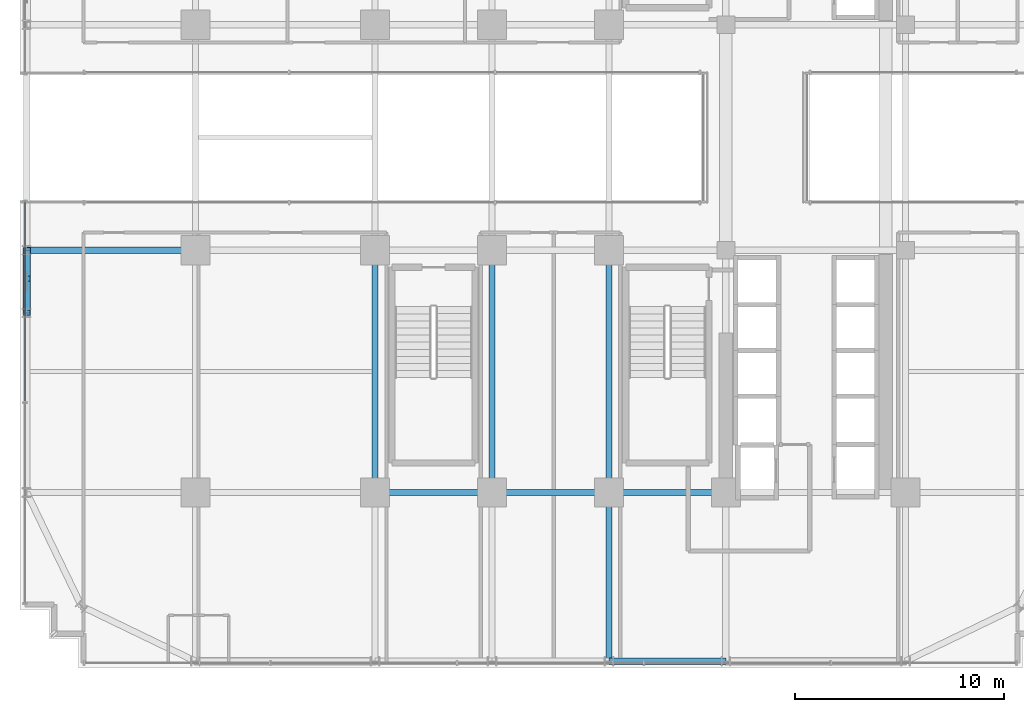
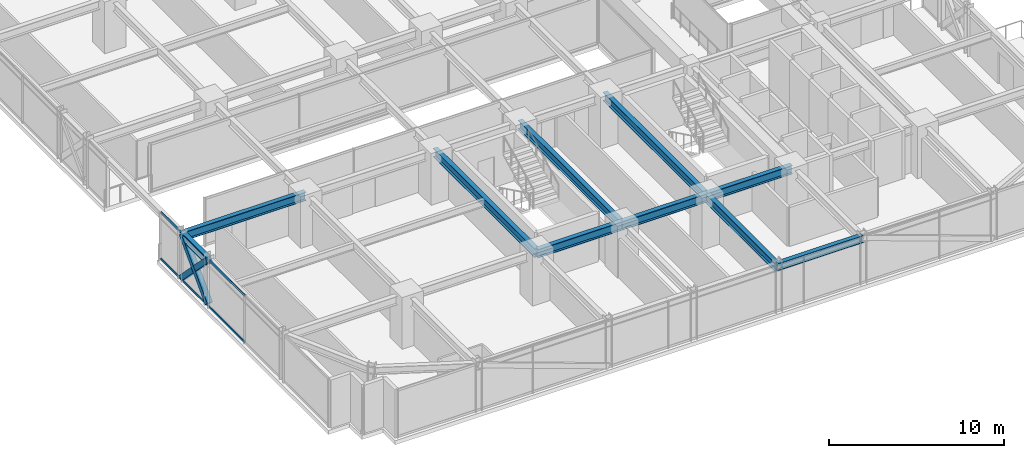
# One storey, part 8 of 47: 10 beams, 5 members, 1 element without a shape of its own.
"""IFC4 building model written with IfcOpenShell, lengths in metres."""

from ifc_helpers import new_model, si_unit, direction, frame, origin, origin_2d, place, context, subcontext, project, spatial, hollow_rectangle, i_section, extrude, source, transform, mapped, material, material_profile, profile_set, type_object, element, aggregate, save


model = new_model("IFC4")

# Units and contexts
model_context = context("Model", 3, precision=1e-05, world=origin(), true_north=direction((0.0, 1.0)))
body_context = subcontext(model_context, "Body", "Model", "MODEL_VIEW")
ifc_project = project(units=[si_unit("LENGTHUNIT", "METRE"), si_unit("AREAUNIT", "SQUARE_METRE"), si_unit("VOLUMEUNIT", "CUBIC_METRE"), si_unit("PLANEANGLEUNIT", "RADIAN"), si_unit("MASSUNIT", "GRAM", prefix="KILO")], contexts=[model_context])

# Site, building, storey
site_placement = place(None, origin())
site = spatial("IfcSite", under=ifc_project, at=site_placement, CompositionType="ELEMENT")
building_placement = place(site_placement, origin())
building = spatial("IfcBuilding", under=site, at=building_placement, Name="Nahalor Promenade Grand Hotel", CompositionType="ELEMENT")
storey_placement = place(building_placement, frame((0.0, 0.0, 68.89990234375)))
storey = spatial("IfcBuildingStorey", under=building, at=storey_placement, Name="L16", CompositionType="ELEMENT", Elevation=68.89990234375)

# Beams
ifc_material_1 = material(Name="Steel S355JR", Category="steel")
ifc_material_profile_1 = material_profile(ifc_material_1, i_section(OverallWidth=0.3, OverallDepth=0.6, WebThickness=0.0155, FlangeThickness=0.03, at=origin_2d()), Name="HEB 600")
ifc_profile_set_1 = profile_set([ifc_material_profile_1], Name="Steel S355JR")
beam_type_1 = type_object("IfcBeamType", Name="Beam-Girder-HEB600", PredefinedType="BEAM", material=ifc_profile_set_1)
shared_shape_1 = source(origin(), body_context, "Body", "SweptSolid", [
    extrude(i_section(OverallWidth=0.3, OverallDepth=0.6, WebThickness=0.0155, FlangeThickness=0.03, at=origin_2d()), origin(), (0.0, 0.0, 1.0), 5.599853515625),
])
for number, where, z_axis, x_axis, name in (
    (1, (-8.39990234375, -17.0, 3.070068359375), (1.0, 0.0, 0.0), (0.0, 1.0, 0.0), "BM-L16-GX-0-2"),
    (2, (2.800048828125, -17.0, 3.070068359375), (1.0, 0.0, 0.0), (0.0, 1.0, 0.0), "BM-L16-GX-0-4"),
):
    element("IfcBeam", number, at=place(storey_placement, frame(where, z_axis=z_axis, x_axis=x_axis)), inside=storey, type_object=beam_type_1, Name=name, PredefinedType="BEAM", context=body_context, shape_type="MappedRepresentation", body=[
        mapped(shared_shape_1, transform((0.0, 0.0, 0.0), scale=1.0)),
    ])
shared_shape_2 = source(origin(), body_context, "Body", "SweptSolid", [
    extrude(i_section(OverallWidth=0.3, OverallDepth=0.6, WebThickness=0.0155, FlangeThickness=0.03, at=origin_2d()), origin(), (0.0, 0.0, 1.0), 5.60009765625),
])
beam_1_placement = place(storey_placement, frame((-2.800048828125, -17.0, 3.070068359375), z_axis=(1.0, 0.0, 0.0), x_axis=(0.0, 1.0, 0.0)))
element("IfcBeam", 3, at=beam_1_placement, inside=storey, type_object=beam_type_1, Name="BM-L16-GX-0-3", PredefinedType="BEAM", context=body_context, shape_type="MappedRepresentation", body=[
    mapped(shared_shape_2, transform((0.0, 0.0, 0.0), scale=1.0)),
])
shared_shape_3 = source(origin(), body_context, "Body", "SweptSolid", [
    extrude(i_section(OverallWidth=0.3, OverallDepth=0.6, WebThickness=0.0155, FlangeThickness=0.03, at=origin_2d()), origin(), (0.0, 0.0, 1.0), 11.60009765625),
])
for number, where, z_axis, x_axis, name in (
    (4, (-8.39990234375, -17.0, 3.070068359375), (0.0, 1.0, 0.0), (-1.0, 0.0, 0.0), "BM-L16-GY-1-1"),
    (5, (-2.800048828125, -17.0, 3.070068359375), (0.0, 1.0, 0.0), (-1.0, 0.0, 0.0), "BM-L16-GY-2-1"),
    (6, (2.800048828125, -17.0, 3.070068359375), (0.0, 1.0, 0.0), (-1.0, 0.0, 0.0), "BM-L16-GY-3-1"),
):
    element("IfcBeam", number, at=place(storey_placement, frame(where, z_axis=z_axis, x_axis=x_axis)), inside=storey, type_object=beam_type_1, Name=name, PredefinedType="BEAM", context=body_context, shape_type="MappedRepresentation", body=[
        mapped(shared_shape_3, transform((0.0, 0.0, 0.0), scale=1.0)),
    ])
ifc_material_profile_2 = material_profile(ifc_material_1, i_section(OverallWidth=0.3, OverallDepth=0.5, WebThickness=0.0145, FlangeThickness=0.028, at=origin_2d()), Name="HEB 500")
ifc_profile_set_2 = profile_set([ifc_material_profile_2], Name="Steel S355JR")
beam_type_2 = type_object("IfcBeamType", Name="Beam-Spandrel-HEB500", PredefinedType="SPANDREL", material=ifc_profile_set_2)
shared_shape_4 = source(origin(), body_context, "Body", "SweptSolid", [
    extrude(i_section(OverallWidth=0.3, OverallDepth=0.5, WebThickness=0.0145, FlangeThickness=0.028, at=origin_2d()), origin(), (0.0, 0.0, 1.0), 5.599853515625),
])
beam_2_placement = place(storey_placement, frame((2.800048828125, -25.080078125, 3.1201171875), z_axis=(1.0, 0.0, 0.0), x_axis=(0.0, 1.0, 0.0)))
element("IfcBeam", 7, at=beam_2_placement, inside=storey, type_object=beam_type_2, Name="BM-L16-SP-S-3", PredefinedType="SPANDREL", context=body_context, shape_type="MappedRepresentation", body=[
    mapped(shared_shape_4, transform((0.0, 0.0, 0.0), scale=1.0)),
])
shared_shape_5 = source(origin(), body_context, "Body", "SweptSolid", [
    extrude(i_section(OverallWidth=0.3, OverallDepth=0.5, WebThickness=0.0145, FlangeThickness=0.028, at=origin_2d()), origin(), (0.0, 0.0, 1.0), 3.0),
])
beam_3_placement = place(storey_placement, frame((-25.080078125, -8.39990234375, 3.1201171875), z_axis=(0.0, 1.0, 0.0), x_axis=(-1.0, 0.0, 0.0)))
element("IfcBeam", 8, at=beam_3_placement, inside=storey, type_object=beam_type_2, Name="BM-L16-SP-W-1", PredefinedType="SPANDREL", context=body_context, shape_type="MappedRepresentation", body=[
    mapped(shared_shape_5, transform((0.0, 0.0, 0.0), scale=1.0)),
])
shared_shape_6 = source(origin(), body_context, "Body", "SweptSolid", [
    extrude(i_section(OverallWidth=0.3, OverallDepth=0.6, WebThickness=0.0155, FlangeThickness=0.03, at=origin_2d()), origin(), (0.0, 0.0, 1.0), 8.080078125),
])
for number, where, z_axis, x_axis, name in (
    (9, (-25.080078125, -5.39990234375, 3.070068359375), (1.0, 0.0, 0.0), (0.0, 1.0, 0.0), "BM-L16-GX-1-0"),
    (10, (2.800048828125, -25.080078125, 3.070068359375), (0.0, 1.0, 0.0), (-1.0, 0.0, 0.0), "BM-L16-GY-3-0"),
):
    element("IfcBeam", number, at=place(storey_placement, frame(where, z_axis=z_axis, x_axis=x_axis)), inside=storey, type_object=beam_type_1, Name=name, PredefinedType="BEAM", context=body_context, shape_type="MappedRepresentation", body=[
        mapped(shared_shape_6, transform((0.0, 0.0, 0.0), scale=1.0)),
    ])

# Members
ifc_material_profile_3 = material_profile(ifc_material_1, hollow_rectangle(XDim=0.35, YDim=0.35, WallThickness=0.02, at=origin_2d()), Name="SHS 350x350x20")
ifc_profile_set_3 = profile_set([ifc_material_profile_3], Name="Steel S355JR")
member_type_1 = type_object("IfcMemberType", Name="Mem-VoidBrace-SHS350", PredefinedType="BRACE", material=ifc_profile_set_3)
shared_shape_7 = source(origin(), body_context, "Body", "SweptSolid", [
    extrude(hollow_rectangle(XDim=0.35, YDim=0.35, WallThickness=0.02, at=origin_2d()), origin(), (0.0, 0.0, 1.0), 4.29248046875),
])
member_1_placement = place(storey_placement, frame((-25.080078125, -8.39990234375, 0.150146484375), z_axis=(0.0, 0.698897904453, 0.715221447631), x_axis=(-1.0, 0.0, 0.0)))
element("IfcMember", 11, at=member_1_placement, inside=storey, type_object=member_type_1, Name="EXO-L16-VX1-W0", PredefinedType="BRACE", context=body_context, shape_type="MappedRepresentation", body=[
    mapped(shared_shape_7, transform((0.0, 0.0, 0.0), scale=1.0)),
])
shared_shape_8 = source(origin(), body_context, "Body", "SweptSolid", [
    extrude(hollow_rectangle(XDim=0.35, YDim=0.35, WallThickness=0.02, at=origin_2d()), origin(), (0.0, 0.0, 1.0), 1.959228515625),
])
for number, where, z_axis, x_axis, name in (
    (12, (-25.080078125, -5.39990234375, 0.150146484375), (0.0, -0.698960471031, 0.715160303663), (1.0, 0.0, 0.0), "EXO-L16-VX2-W0A"),
    (13, (-25.080078125, -7.03076171875, 1.81884765625), (0.0, -0.698834435327, 0.715283462692), (1.0, 0.0, 0.0), "EXO-L16-VX2-W0B"),
):
    element("IfcMember", number, at=place(storey_placement, frame(where, z_axis=z_axis, x_axis=x_axis)), inside=storey, type_object=member_type_1, Name=name, PredefinedType="BRACE", context=body_context, shape_type="MappedRepresentation", body=[
        mapped(shared_shape_8, transform((0.0, 0.0, 0.0), scale=1.0)),
    ])

# Curtain wall, members
ifc_material_2 = material(Name="Anodised Bronze Aluminium EN AW-6063 T6", Category="aluminium")
curtain_wall_type = type_object("IfcCurtainWallType", Name="CW3 Elliptical-Void Collar Unitised Curtain Wall", PredefinedType="USERDEFINED", material=ifc_material_2)
curtain_wall_placement = place(storey_placement, origin())
curtain_wall = element("IfcCurtainWall", 14, at=curtain_wall_placement, inside=storey, type_object=curtain_wall_type, Name="L16 Curtain Wall CW-L16-W-1", ObjectType="UNITISED_CURTAIN_WALL", PredefinedType="USERDEFINED")
ifc_material_profile_4 = material_profile(ifc_material_2, hollow_rectangle(XDim=0.07, YDim=0.14, WallThickness=0.004, at=origin_2d()), Name="CWT 70x140x4")
ifc_profile_set_4 = profile_set([ifc_material_profile_4], Name="Anodised Bronze Aluminium EN AW-6063 T6")
member_type_2 = type_object("IfcMemberType", Name="CWT3 Void Collar Transom 70x140", PredefinedType="USERDEFINED", material=ifc_profile_set_4)
shared_shape_9 = source(origin(), body_context, "Body", "SweptSolid", [
    extrude(hollow_rectangle(XDim=0.07, YDim=0.14, WallThickness=0.004, at=origin_2d()), origin(), (0.0, 0.0, 1.0), 9.575439453125),
])
member_2_placement = place(storey_placement, frame((-25.159912109375, -12.64453125, 0.070068359375), z_axis=(0.0, 1.0, 0.0), x_axis=(-1.0, 0.0, 0.0)))
member_2 = element("IfcMember", 15, at=member_2_placement, type_object=member_type_2, Name="CW-L16-W-1 Transom 1-0", ObjectType="TRANSOM", PredefinedType="USERDEFINED", context=body_context, shape_type="MappedRepresentation", body=[
    mapped(shared_shape_9, transform((0.0, 0.0, 0.0), scale=1.0)),
])
member_3_placement = place(storey_placement, frame((-25.159912109375, -12.64453125, 3.300048828125), z_axis=(0.0, 1.0, 0.0), x_axis=(-1.0, 0.0, 0.0)))
member_3 = element("IfcMember", 16, at=member_3_placement, type_object=member_type_2, Name="CW-L16-W-1 Transom 1-1", ObjectType="TRANSOM", PredefinedType="USERDEFINED", context=body_context, shape_type="MappedRepresentation", body=[
    mapped(shared_shape_9, transform((0.0, 0.0, 0.0), scale=1.0)),
])
aggregate(curtain_wall, [member_2, member_3])

save(model, "model.ifc")
